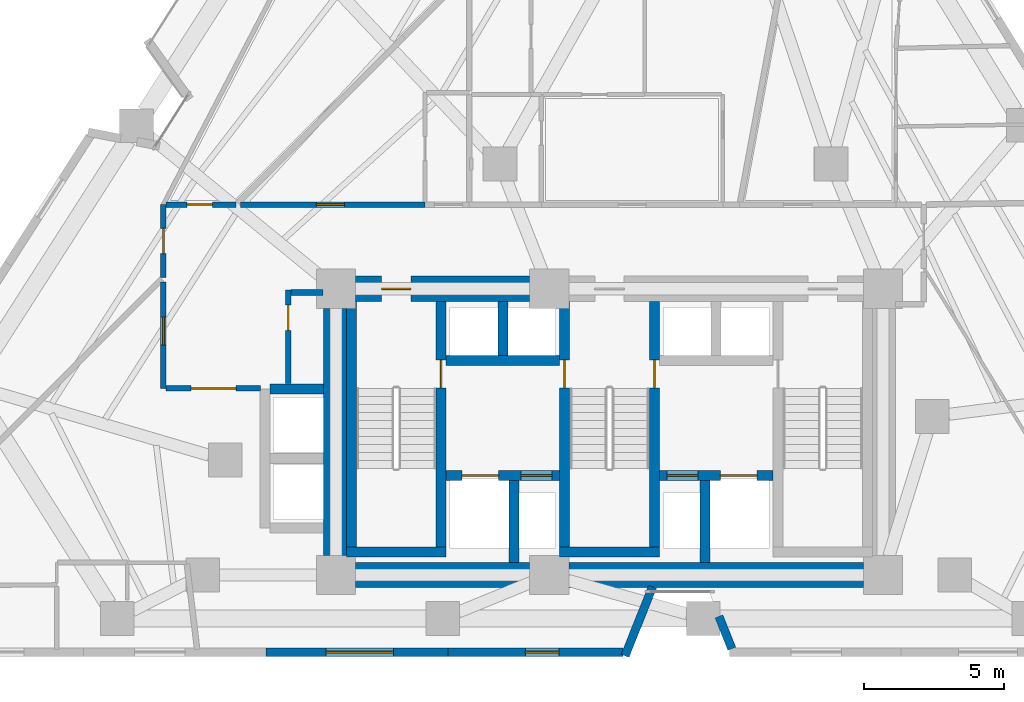
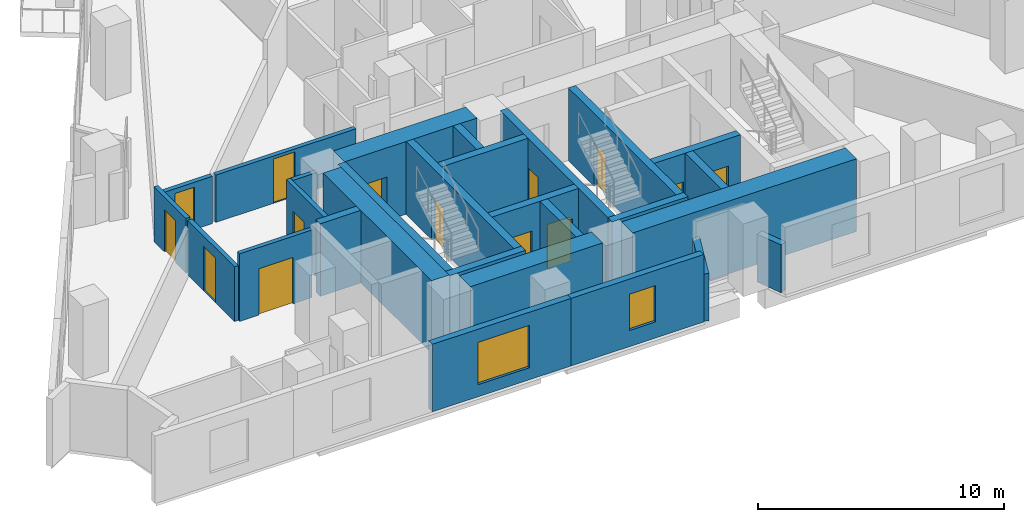
# One storey, part 6 of 13: 28 walls, 14 doors, 2 windows, 16 openings.
"""IFC4 building model written with IfcOpenShell, lengths in metres."""

from ifc_helpers import new_model, si_unit, direction, frame, frame_2d, origin, place, context, subcontext, project, spatial, rectangle, extrude, material, layer, layer_set, type_object, element, fill, save


model = new_model("IFC4")

# Units and contexts
model_context = context("Model", 3, precision=1e-05, world=origin(), true_north=direction((0.0, 1.0)))
body_context = subcontext(model_context, "Body", "Model", "MODEL_VIEW")
ifc_project = project(units=[si_unit("LENGTHUNIT", "METRE"), si_unit("AREAUNIT", "SQUARE_METRE"), si_unit("VOLUMEUNIT", "CUBIC_METRE"), si_unit("PLANEANGLEUNIT", "RADIAN"), si_unit("MASSUNIT", "GRAM", prefix="KILO")], contexts=[model_context])

# Site, building, storey
site_placement = place(None, origin())
site = spatial("IfcSite", under=ifc_project, at=site_placement, CompositionType="ELEMENT")
building_placement = place(site_placement, origin())
building = spatial("IfcBuilding", under=site, at=building_placement, Name="Almagre Mirador Tower", CompositionType="ELEMENT")
storey_placement = place(building_placement, frame((0.0, 0.0, 82.199951171875)))
storey = spatial("IfcBuildingStorey", under=building, at=storey_placement, Name="L20", CompositionType="ELEMENT", Elevation=82.199951171875)

# Walls
ifc_material_1 = material(Name="Precast concrete C50/60", Category="concrete")
ifc_layer_1 = layer(ifc_material_1, 0.300048828125)
ifc_layer_set_1 = layer_set([ifc_layer_1], Name="Precast concrete C50/60")
wall_type_1 = type_object("IfcWallType", Name="WAL-EXT-300", PredefinedType="SOLIDWALL", material=ifc_layer_set_1)
wall_1_placement = place(storey_placement, frame((41.658203125, 1.92529296875, 0.0), z_axis=(0.0, 0.0, 1.0), x_axis=(-0.369583004586, 0.929197719929, 0.0)))
element("IfcWall", 1, at=wall_1_placement, inside=storey, type_object=wall_type_1, Name="L20 expressed almagre precast frame wall 25", PredefinedType="SOLIDWALL", context=body_context, shape_type="SweptSolid", body=[
    extrude(rectangle(XDim=1.234619140625, YDim=0.300048828125, at=frame_2d((0.6171875, 0.0))), origin(), (0.0, 0.0, 1.0), 2.375),
])
wall_2_placement = place(storey_placement, frame((38.83251953125, 4.124755859375, 0.0), z_axis=(0.0, 0.0, 1.0), x_axis=(-0.369557636099, -0.929207809696, 0.0)))
element("IfcWall", 2, at=wall_2_placement, inside=storey, type_object=wall_type_1, Name="L20 expressed almagre precast frame wall 26", PredefinedType="SOLIDWALL", context=body_context, shape_type="SweptSolid", body=[
    extrude(rectangle(XDim=2.641845703125, YDim=0.300048828125, at=frame_2d((1.32080078125, 0.0))), origin(), (0.0, 0.0, 1.0), 2.35009765625),
])

# Wall, opening, window
wall_3_placement = place(storey_placement, frame((37.77294921875, 1.800048828125, 0.0), z_axis=(0.0, 0.0, 1.0), x_axis=(-1.0, 0.0, 0.0)))
wall_3 = element("IfcWall", 3, at=wall_3_placement, inside=storey, type_object=wall_type_1, Name="L20 expressed almagre precast frame wall 27", PredefinedType="SOLIDWALL", context=body_context, shape_type="SweptSolid", body=[
    extrude(rectangle(XDim=6.221923828125, YDim=0.300048828125, at=frame_2d((3.11083984375, 0.0))), origin(), (0.0, 0.0, 1.0), 3.35009765625),
])
opening_1_placement = place(wall_3_placement, frame((2.27490234375, 0.0, 0.800048828125)))
opening_1 = element("IfcOpeningElement", 4, at=opening_1_placement, cuts=wall_3, Name="Opening WN-04", PredefinedType="OPENING", context=body_context, shape_type="SweptSolid", body=[
    extrude(rectangle(XDim=1.199951171875, YDim=1.800048828125, at=frame_2d((0.60009765625, 0.89990234375))), frame((0.0, 0.159902, 0.0), z_axis=(0.0, -1.0, 0.0), x_axis=(1.0, 0.0, 0.0)), (0.0, 0.0, 1.0), 0.320049),
])
ifc_material_2 = material(Name="Dark solar-control laminated hurricane glass", Category="glass")
window_type_1 = type_object("IfcWindowType", Name="WIN-1200X1800", PartitioningType="SINGLE_PANEL", PredefinedType="WINDOW", material=ifc_material_2)
window_1_placement = place(opening_1_placement, origin())
window_1 = element("IfcWindow", 5, at=window_1_placement, inside=storey, type_object=window_type_1, Name="L20 recessed hurricane window L20-RST-B", OverallHeight=1.800048828125, OverallWidth=1.199951171875, PartitioningType="SINGLE_PANEL", PredefinedType="WINDOW", context=body_context, shape_type="SweptSolid", body=[
    extrude(rectangle(XDim=1.199951171875, YDim=1.800048828125, at=frame_2d((0.60009765625, 0.89990234375))), frame((0.0, 0.030029296875, 0.0), z_axis=(0.0, -1.0, 0.0), x_axis=(1.0, 0.0, 0.0)), (0.0, 0.0, 1.0), 0.06005859375),
])
fill(opening_1, window_1)

wall_4_placement = place(storey_placement, frame((31.551025390625, 1.800048828125, 0.0), z_axis=(0.0, 0.0, 1.0), x_axis=(-1.0, 0.0, 0.0)))
wall_4 = element("IfcWall", 6, at=wall_4_placement, inside=storey, type_object=wall_type_1, Name="L20 expressed almagre precast frame wall 28", PredefinedType="SOLIDWALL", context=body_context, shape_type="SweptSolid", body=[
    extrude(rectangle(XDim=6.4970703125, YDim=0.300048828125, at=frame_2d((3.24853515625, 0.0))), origin(), (0.0, 0.0, 1.0), 3.35009765625),
])
opening_2_placement = place(wall_4_placement, frame((1.949951171875, 0.0, 0.60009765625)))
opening_2 = element("IfcOpeningElement", 7, at=opening_2_placement, cuts=wall_4, Name="Opening WN-02", PredefinedType="OPENING", context=body_context, shape_type="SweptSolid", body=[
    extrude(rectangle(XDim=2.39990234375, YDim=2.10009765625, at=frame_2d((1.199951171875, 1.050048828125))), frame((0.0, 0.159902, 0.0), z_axis=(0.0, -1.0, 0.0), x_axis=(1.0, 0.0, 0.0)), (0.0, 0.0, 1.0), 0.320049),
])
ifc_material_3 = material(Name="Dark solar-control laminated hurricane glass", Category="glass")
window_type_2 = type_object("IfcWindowType", Name="WIN-2400X2100", PartitioningType="TRIPLE_PANEL_VERTICAL", PredefinedType="WINDOW", material=ifc_material_3)
window_2_placement = place(opening_2_placement, origin())
window_2 = element("IfcWindow", 8, at=window_2_placement, inside=storey, type_object=window_type_2, Name="L20 recessed hurricane window L20-RST-B", OverallHeight=2.10009765625, OverallWidth=2.39990234375, PartitioningType="SINGLE_PANEL", PredefinedType="WINDOW", context=body_context, shape_type="SweptSolid", body=[
    extrude(rectangle(XDim=2.39990234375, YDim=2.10009765625, at=frame_2d((1.199951171875, 1.050048828125))), frame((0.0, 0.030029296875, 0.0), z_axis=(0.0, -1.0, 0.0), x_axis=(1.0, 0.0, 0.0)), (0.0, 0.0, 1.0), 0.06005859375),
])
fill(opening_2, window_2)

# Wall, opening, door
ifc_material_4 = material(Name="Gypsum acoustic stud partition", Category="other")
ifc_layer_2 = layer(ifc_material_4, 0.199951171875)
ifc_layer_set_2 = layer_set([ifc_layer_2], Name="Gypsum acoustic stud partition")
wall_type_2 = type_object("IfcWallType", Name="WAL-PRT-200-EI60", PredefinedType="PARTITIONING", material=ifc_layer_set_2)
wall_5_placement = place(storey_placement, frame((25.85009765625, 11.3701171875, 0.0), z_axis=(0.0, 0.0, 1.0), x_axis=(0.0, 1.0, 0.0)))
wall_5 = element("IfcWall", 9, at=wall_5_placement, inside=storey, type_object=wall_type_2, Name="L20 core ancillary west wall", PredefinedType="PARTITIONING", context=body_context, shape_type="SweptSolid", body=[
    extrude(rectangle(XDim=3.33984375, YDim=0.199951171875, at=frame_2d((1.669921875, 0.0))), origin(), (0.0, 0.0, 1.0), 3.35009765625),
])
opening_3_placement = place(wall_5_placement, frame((1.89990234375, 0.0, 0.0)))
opening_3 = element("IfcOpeningElement", 10, at=opening_3_placement, cuts=wall_5, Name="Opening ID-03", PredefinedType="OPENING", context=body_context, shape_type="SweptSolid", body=[
    extrude(rectangle(XDim=0.89990234375, YDim=2.10009765625, at=frame_2d((0.449951171875, 1.050048828125))), frame((0.0, 0.110098, 0.0), z_axis=(0.0, -1.0, 0.0), x_axis=(1.0, 0.0, 0.0)), (0.0, 0.0, 1.0), 0.219951),
])
ifc_material_5 = material(Name="Fire-rated hollow steel", Category="steel")
door_type_1 = type_object("IfcDoorType", Name="DOR-FD60-900X2100", OperationType="NOTDEFINED", PredefinedType="DOOR", material=ifc_material_5)
door_1_placement = place(opening_3_placement, origin())
door_1 = element("IfcDoor", 11, at=door_1_placement, inside=storey, type_object=door_type_1, Name="DR-0675 L20 core ancillary corridor door", OperationType="SINGLE_SWING_RIGHT", OverallHeight=2.10009765625, OverallWidth=0.89990234375, PredefinedType="DOOR", context=body_context, shape_type="SweptSolid", body=[
    extrude(rectangle(XDim=0.89990234375, YDim=2.10009765625, at=frame_2d((0.449951171875, 1.050048828125))), frame((0.0, 0.02490234375, 0.0), z_axis=(0.0, -1.0, 0.0), x_axis=(1.0, 0.0, 0.0)), (0.0, 0.0, 1.0), 0.050048828125),
])
fill(opening_3, door_1)

# Wall
wall_6_placement = place(storey_placement, frame((25.955078125, 14.6201171875, 0.0), z_axis=(0.0, 0.0, 1.0), x_axis=(1.0, 0.0, 0.0)))
element("IfcWall", 12, at=wall_6_placement, inside=storey, type_object=wall_type_2, Name="L20 core ancillary north wall", PredefinedType="PARTITIONING", context=body_context, shape_type="SweptSolid", body=[
    extrude(rectangle(XDim=1.1298828125, YDim=0.199951171875, at=frame_2d((0.56494140625, 0.0))), origin(), (0.0, 0.0, 1.0), 3.35009765625),
])

# Wall, opening, door
wall_7_placement = place(storey_placement, frame((21.39990234375, 15.0, 0.0), z_axis=(0.0, 0.0, 1.0), x_axis=(0.0, -1.0, 0.0)))
wall_7 = element("IfcWall", 13, at=wall_7_placement, inside=storey, type_object=wall_type_2, Name="L20 interior partition 001", PredefinedType="PARTITIONING", context=body_context, shape_type="SweptSolid", body=[
    extrude(rectangle(XDim=3.800048828125, YDim=0.199951171875, at=frame_2d((1.89990234375, 0.0))), origin(), (0.0, 0.0, 1.0), 2.708984375),
])
opening_4_placement = place(wall_7_placement, frame((1.26171875, 0.0, 0.0)))
opening_4 = element("IfcOpeningElement", 14, at=opening_4_placement, cuts=wall_7, Name="Opening ID-01", PredefinedType="OPENING", context=body_context, shape_type="SweptSolid", body=[
    extrude(rectangle(XDim=1.0, YDim=2.199951171875, at=frame_2d((0.5, 1.10009765625))), frame((0.0, 0.110098, 0.0), z_axis=(0.0, -1.0, 0.0), x_axis=(1.0, 0.0, 0.0)), (0.0, 0.0, 1.0), 0.219951),
])
ifc_material_6 = material(Name="Fire-rated walnut timber", Category="wood")
door_type_2 = type_object("IfcDoorType", Name="DOR-FD60-1000X2200", OperationType="NOTDEFINED", PredefinedType="DOOR", material=ifc_material_6)
door_2_placement = place(opening_4_placement, origin())
door_2 = element("IfcDoor", 15, at=door_2_placement, inside=storey, type_object=door_type_2, Name="DR-0684 L20 interior door L20-RCOR to L20-UA-ST", OperationType="SINGLE_SWING_RIGHT", OverallHeight=2.199951171875, OverallWidth=1.0, PredefinedType="DOOR", context=body_context, shape_type="SweptSolid", body=[
    extrude(rectangle(XDim=1.0, YDim=2.199951171875, at=frame_2d((0.5, 1.10009765625))), frame((0.0, 0.02490234375, 0.0), z_axis=(0.0, -1.0, 0.0), x_axis=(1.0, 0.0, 0.0)), (0.0, 0.0, 1.0), 0.050048828125),
])
fill(opening_4, door_2)

wall_8_placement = place(storey_placement, frame((21.485107421875, 11.199951171875, 0.0), z_axis=(0.0, 0.0, 1.0), x_axis=(1.0, 0.0, 0.0)))
wall_8 = element("IfcWall", 16, at=wall_8_placement, inside=storey, type_object=wall_type_2, Name="L20 interior partition 002", PredefinedType="PARTITIONING", context=body_context, shape_type="SweptSolid", body=[
    extrude(rectangle(XDim=3.384033203125, YDim=0.199951171875, at=frame_2d((1.69189453125, 0.0))), origin(), (0.0, 0.0, 1.0), 3.35009765625),
])
opening_5_placement = place(wall_8_placement, frame((0.905029296875, 0.0, 0.0)))
opening_5 = element("IfcOpeningElement", 17, at=opening_5_placement, cuts=wall_8, Name="Opening ID-05", PredefinedType="OPENING", context=body_context, shape_type="SweptSolid", body=[
    extrude(rectangle(XDim=1.60009765625, YDim=2.300048828125, at=frame_2d((0.800048828125, 1.14990234375))), frame((0.0, 0.110098, 0.0), z_axis=(0.0, -1.0, 0.0), x_axis=(1.0, 0.0, 0.0)), (0.0, 0.0, 1.0), 0.219951),
])
ifc_material_7 = material(Name="Fire-rated acoustic timber", Category="wood")
door_type_3 = type_object("IfcDoorType", Name="DOR-FD60-1600X2300", OperationType="DOUBLE_DOOR_SINGLE_SWING", PredefinedType="DOOR", material=ifc_material_7)
door_3_placement = place(opening_5_placement, origin())
door_3 = element("IfcDoor", 18, at=door_3_placement, inside=storey, type_object=door_type_3, Name="DR-0680 L20 interior door L20-RCOR to L20-RST-B", OperationType="DOUBLE_DOOR_SINGLE_SWING", OverallHeight=2.300048828125, OverallWidth=1.60009765625, PredefinedType="DOOR", context=body_context, shape_type="SweptSolid", body=[
    extrude(rectangle(XDim=1.60009765625, YDim=2.300048828125, at=frame_2d((0.800048828125, 1.14990234375))), frame((0.0, 0.02490234375, 0.0), z_axis=(0.0, -1.0, 0.0), x_axis=(1.0, 0.0, 0.0)), (0.0, 0.0, 1.0), 0.050048828125),
])
fill(opening_5, door_3)

wall_9_placement = place(storey_placement, frame((21.39990234375, 17.75, 0.0), z_axis=(0.0, 0.0, 1.0), x_axis=(0.0, -1.0, 0.0)))
wall_9 = element("IfcWall", 19, at=wall_9_placement, inside=storey, type_object=wall_type_2, Name="L20 interior partition 006", PredefinedType="PARTITIONING", context=body_context, shape_type="SweptSolid", body=[
    extrude(rectangle(XDim=2.590087890625, YDim=0.199951171875, at=frame_2d((1.294921875, 0.0))), origin(), (0.0, 0.0, 1.0), 2.708984375),
])
opening_6_placement = place(wall_9_placement, frame((0.844970703125, 0.0, 0.0)))
opening_6 = element("IfcOpeningElement", 20, at=opening_6_placement, cuts=wall_9, Name="Opening ID-03", PredefinedType="OPENING", context=body_context, shape_type="SweptSolid", body=[
    extrude(rectangle(XDim=0.89990234375, YDim=2.10009765625, at=frame_2d((0.449951171875, 1.050048828125))), frame((0.0, 0.110098, 0.0), z_axis=(0.0, -1.0, 0.0), x_axis=(1.0, 0.0, 0.0)), (0.0, 0.0, 1.0), 0.219951),
])
door_4_placement = place(opening_6_placement, origin())
door_4 = element("IfcDoor", 21, at=door_4_placement, inside=storey, type_object=door_type_1, Name="DR-0682 L20 interior door L20-RCOR to L20-RST-E", OperationType="SINGLE_SWING_RIGHT", OverallHeight=2.10009765625, OverallWidth=0.89990234375, PredefinedType="DOOR", context=body_context, shape_type="SweptSolid", body=[
    extrude(rectangle(XDim=0.89990234375, YDim=2.10009765625, at=frame_2d((0.449951171875, 1.050048828125))), frame((0.0, 0.02490234375, 0.0), z_axis=(0.0, -1.0, 0.0), x_axis=(1.0, 0.0, 0.0)), (0.0, 0.0, 1.0), 0.050048828125),
])
fill(opening_6, door_4)

wall_10_placement = place(storey_placement, frame((30.719970703125, 17.75, 0.0), z_axis=(0.0, 0.0, 1.0), x_axis=(-1.0, 0.0, 0.0)))
wall_10 = element("IfcWall", 22, at=wall_10_placement, inside=storey, type_object=wall_type_2, Name="L20 interior partition 007", PredefinedType="PARTITIONING", context=body_context, shape_type="SweptSolid", body=[
    extrude(rectangle(XDim=6.570068359375, YDim=0.199951171875, at=frame_2d((3.28515625, 0.0))), origin(), (0.0, 0.0, 1.0), 2.344970703125),
])
opening_7_placement = place(wall_10_placement, frame((2.864990234375, 0.0, 0.0)))
opening_7 = element("IfcOpeningElement", 23, at=opening_7_placement, cuts=wall_10, Name="Opening ID-01", PredefinedType="OPENING", context=body_context, shape_type="SweptSolid", body=[
    extrude(rectangle(XDim=1.0, YDim=2.199951171875, at=frame_2d((0.5, 1.10009765625))), frame((0.0, 0.110098, 0.0), z_axis=(0.0, -1.0, 0.0), x_axis=(1.0, 0.0, 0.0)), (0.0, 0.0, 1.0), 0.219951),
])
door_5_placement = place(opening_7_placement, origin())
door_5 = element("IfcDoor", 24, at=door_5_placement, inside=storey, type_object=door_type_2, Name="DR-0685 L20 interior door L20-RCOR to L20-UF-ST", OperationType="SINGLE_SWING_RIGHT", OverallHeight=2.199951171875, OverallWidth=1.0, PredefinedType="DOOR", context=body_context, shape_type="SweptSolid", body=[
    extrude(rectangle(XDim=1.0, YDim=2.199951171875, at=frame_2d((0.5, 1.10009765625))), frame((0.0, 0.02490234375, 0.0), z_axis=(0.0, -1.0, 0.0), x_axis=(1.0, 0.0, 0.0)), (0.0, 0.0, 1.0), 0.050048828125),
])
fill(opening_7, door_5)

wall_11_placement = place(storey_placement, frame((23.989990234375, 17.75, 0.0), z_axis=(0.0, 0.0, 1.0), x_axis=(-1.0, 0.0, 0.0)))
wall_11 = element("IfcWall", 25, at=wall_11_placement, inside=storey, type_object=wall_type_2, Name="L20 interior partition 009", PredefinedType="PARTITIONING", context=body_context, shape_type="SweptSolid", body=[
    extrude(rectangle(XDim=2.5048828125, YDim=0.199951171875, at=frame_2d((1.25244140625, 0.0))), origin(), (0.0, 0.0, 1.0), 2.344970703125),
])
opening_8_placement = place(wall_11_placement, frame((0.844970703125, 0.0, 0.0)))
opening_8 = element("IfcOpeningElement", 26, at=opening_8_placement, cuts=wall_11, Name="Opening ID-03", PredefinedType="OPENING", context=body_context, shape_type="SweptSolid", body=[
    extrude(rectangle(XDim=0.89990234375, YDim=2.10009765625, at=frame_2d((0.449951171875, 1.050048828125))), frame((0.0, 0.110098, 0.0), z_axis=(0.0, -1.0, 0.0), x_axis=(1.0, 0.0, 0.0)), (0.0, 0.0, 1.0), 0.219951),
])
door_6_placement = place(opening_8_placement, origin())
door_6 = element("IfcDoor", 27, at=door_6_placement, inside=storey, type_object=door_type_1, Name="DR-0683 L20 interior door L20-RCOR to L20-RST-G", OperationType="SINGLE_SWING_LEFT", OverallHeight=2.10009765625, OverallWidth=0.89990234375, PredefinedType="DOOR", context=body_context, shape_type="SweptSolid", body=[
    extrude(rectangle(XDim=0.89990234375, YDim=2.10009765625, at=frame_2d((0.449951171875, 1.050048828125))), frame((0.0, 0.02490234375, 0.0), z_axis=(0.0, -1.0, 0.0), x_axis=(1.0, 0.0, 0.0)), (0.0, 0.0, 1.0), 0.050048828125),
])
fill(opening_8, door_6)

# Wall
ifc_material_8 = material(Name="Concrete C60/75", Category="concrete")
ifc_layer_3 = layer(ifc_material_8, 0.35009765625)
ifc_layer_set_3 = layer_set([ifc_layer_3], Name="Concrete C60/75")
wall_type_3 = type_object("IfcWallType", Name="WAL-SHF-350", PredefinedType="SOLIDWALL", material=ifc_layer_set_3)
wall_12_placement = place(storey_placement, frame((28.10009765625, 5.199951171875, 0.0), z_axis=(0.0, 0.0, 1.0), x_axis=(0.0, 1.0, 0.0)))
element("IfcWall", 28, at=wall_12_placement, inside=storey, type_object=wall_type_3, Name="L20 shaft wall ST1-W", PredefinedType="SOLIDWALL", context=body_context, shape_type="SweptSolid", body=[
    extrude(rectangle(XDim=9.10009765625, YDim=0.35009765625, at=frame_2d((4.550048828125, 0.0))), origin(), (0.0, 0.0, 1.0), 3.60009765625),
])

# Wall, opening, door
wall_13_placement = place(storey_placement, frame((31.300048828125, 5.199951171875, 0.0), z_axis=(0.0, 0.0, 1.0), x_axis=(0.0, 1.0, 0.0)))
wall_13 = element("IfcWall", 29, at=wall_13_placement, inside=storey, type_object=wall_type_3, Name="L20 shaft wall ST1-E", PredefinedType="SOLIDWALL", context=body_context, shape_type="SweptSolid", body=[
    extrude(rectangle(XDim=9.10009765625, YDim=0.35009765625, at=frame_2d((4.550048828125, 0.0))), origin(), (0.0, 0.0, 1.0), 3.60009765625),
])
opening_9_placement = place(wall_13_placement, frame((6.02001953125, 0.0, 0.0)))
opening_9 = element("IfcOpeningElement", 30, at=opening_9_placement, cuts=wall_13, Name="Opening FD-01", PredefinedType="OPENING", context=body_context, shape_type="SweptSolid", body=[
    extrude(rectangle(XDim=1.0, YDim=2.14990234375, at=frame_2d((0.5, 1.074951171875))), frame((0.0, 0.185049, 0.0), z_axis=(0.0, -1.0, 0.0), x_axis=(1.0, 0.0, 0.0)), (0.0, 0.0, 1.0), 0.370098),
])
ifc_material_9 = material(Name="Fire-rated hollow steel", Category="steel")
door_type_4 = type_object("IfcDoorType", Name="DOR-FFL-1000X2150", OperationType="NOTDEFINED", PredefinedType="DOOR", material=ifc_material_9)
door_7_placement = place(opening_9_placement, origin())
door_7 = element("IfcDoor", 31, at=door_7_placement, inside=storey, type_object=door_type_4, Name="DR-0676 L20 FFL1-ST1 smokeproof door", OperationType="SINGLE_SWING_RIGHT", OverallHeight=2.14990234375, OverallWidth=1.0, PredefinedType="DOOR", context=body_context, shape_type="SweptSolid", body=[
    extrude(rectangle(XDim=1.0, YDim=2.14990234375, at=frame_2d((0.5, 1.074951171875))), frame((0.0, 0.02490234375, 0.0), z_axis=(0.0, -1.0, 0.0), x_axis=(1.0, 0.0, 0.0)), (0.0, 0.0, 1.0), 0.050048828125),
])
fill(opening_9, door_7)

# Wall
wall_14_placement = place(storey_placement, frame((27.925048828125, 5.375, 0.0), z_axis=(0.0, 0.0, 1.0), x_axis=(1.0, 0.0, 0.0)))
element("IfcWall", 32, at=wall_14_placement, inside=storey, type_object=wall_type_3, Name="L20 shaft wall ST1-S", PredefinedType="SOLIDWALL", context=body_context, shape_type="SweptSolid", body=[
    extrude(rectangle(XDim=3.550048828125, YDim=0.35009765625, at=frame_2d((1.77490234375, 0.0))), origin(), (0.0, 0.0, 1.0), 3.60009765625),
])

# Wall, opening, door
wall_15_placement = place(storey_placement, frame((35.699951171875, 5.199951171875, 0.0), z_axis=(0.0, 0.0, 1.0), x_axis=(0.0, 1.0, 0.0)))
wall_15 = element("IfcWall", 33, at=wall_15_placement, inside=storey, type_object=wall_type_3, Name="L20 shaft wall ST2-W", PredefinedType="SOLIDWALL", context=body_context, shape_type="SweptSolid", body=[
    extrude(rectangle(XDim=9.10009765625, YDim=0.35009765625, at=frame_2d((4.550048828125, 0.0))), origin(), (0.0, 0.0, 1.0), 3.60009765625),
])
opening_10_placement = place(wall_15_placement, frame((6.02001953125, 0.0, 0.0)))
opening_10 = element("IfcOpeningElement", 34, at=opening_10_placement, cuts=wall_15, Name="Opening FD-01", PredefinedType="OPENING", context=body_context, shape_type="SweptSolid", body=[
    extrude(rectangle(XDim=1.0, YDim=2.14990234375, at=frame_2d((0.5, 1.074951171875))), frame((0.0, 0.185049, 0.0), z_axis=(0.0, -1.0, 0.0), x_axis=(1.0, 0.0, 0.0)), (0.0, 0.0, 1.0), 0.370098),
])
door_8_placement = place(opening_10_placement, origin())
door_8 = element("IfcDoor", 35, at=door_8_placement, inside=storey, type_object=door_type_4, Name="DR-0677 L20 FFL1-ST2 smokeproof door", OperationType="SINGLE_SWING_LEFT", OverallHeight=2.14990234375, OverallWidth=1.0, PredefinedType="DOOR", context=body_context, shape_type="SweptSolid", body=[
    extrude(rectangle(XDim=1.0, YDim=2.14990234375, at=frame_2d((0.5, 1.074951171875))), frame((0.0, 0.02490234375, 0.0), z_axis=(0.0, -1.0, 0.0), x_axis=(1.0, 0.0, 0.0)), (0.0, 0.0, 1.0), 0.050048828125),
])
fill(opening_10, door_8)

wall_16_placement = place(storey_placement, frame((38.89990234375, 5.199951171875, 0.0), z_axis=(0.0, 0.0, 1.0), x_axis=(0.0, 1.0, 0.0)))
wall_16 = element("IfcWall", 36, at=wall_16_placement, inside=storey, type_object=wall_type_3, Name="L20 shaft wall ST2-E", PredefinedType="SOLIDWALL", context=body_context, shape_type="SweptSolid", body=[
    extrude(rectangle(XDim=9.10009765625, YDim=0.35009765625, at=frame_2d((4.550048828125, 0.0))), origin(), (0.0, 0.0, 1.0), 3.60009765625),
])
opening_11_placement = place(wall_16_placement, frame((6.02001953125, 0.0, 0.0)))
opening_11 = element("IfcOpeningElement", 37, at=opening_11_placement, cuts=wall_16, Name="Opening FD-01", PredefinedType="OPENING", context=body_context, shape_type="SweptSolid", body=[
    extrude(rectangle(XDim=1.0, YDim=2.14990234375, at=frame_2d((0.5, 1.074951171875))), frame((0.0, 0.185049, 0.0), z_axis=(0.0, -1.0, 0.0), x_axis=(1.0, 0.0, 0.0)), (0.0, 0.0, 1.0), 0.370098),
])
door_9_placement = place(opening_11_placement, origin())
door_9 = element("IfcDoor", 38, at=door_9_placement, inside=storey, type_object=door_type_4, Name="DR-0678 L20 FFL2-ST2 smokeproof door", OperationType="SINGLE_SWING_RIGHT", OverallHeight=2.14990234375, OverallWidth=1.0, PredefinedType="DOOR", context=body_context, shape_type="SweptSolid", body=[
    extrude(rectangle(XDim=1.0, YDim=2.14990234375, at=frame_2d((0.5, 1.074951171875))), frame((0.0, 0.02490234375, 0.0), z_axis=(0.0, -1.0, 0.0), x_axis=(1.0, 0.0, 0.0)), (0.0, 0.0, 1.0), 0.050048828125),
])
fill(opening_11, door_9)

# Wall
wall_17_placement = place(storey_placement, frame((35.52490234375, 5.375, 0.0), z_axis=(0.0, 0.0, 1.0), x_axis=(1.0, 0.0, 0.0)))
element("IfcWall", 39, at=wall_17_placement, inside=storey, type_object=wall_type_3, Name="L20 shaft wall ST2-S", PredefinedType="SOLIDWALL", context=body_context, shape_type="SweptSolid", body=[
    extrude(rectangle(XDim=3.550048828125, YDim=0.35009765625, at=frame_2d((1.77490234375, 0.0))), origin(), (0.0, 0.0, 1.0), 3.60009765625),
])

# Wall, openings, doors
wall_18_placement = place(storey_placement, frame((31.47509765625, 8.10009765625, 0.0), z_axis=(0.0, 0.0, 1.0), x_axis=(1.0, 0.0, 0.0)))
wall_18 = element("IfcWall", 40, at=wall_18_placement, inside=storey, type_object=wall_type_3, Name="L20 shaft wall FSAE1-N", PredefinedType="SOLIDWALL", context=body_context, shape_type="SweptSolid", body=[
    extrude(rectangle(XDim=4.0498046875, YDim=0.35009765625, at=frame_2d((2.02490234375, 0.0))), origin(), (0.0, 0.0, 1.0), 3.60009765625),
])
opening_12_placement = place(wall_18_placement, frame((0.574951171875, 0.0, 0.0)))
opening_12 = element("IfcOpeningElement", 41, at=opening_12_placement, cuts=wall_18, Name="Opening LD-03", PredefinedType="OPENING", context=body_context, shape_type="SweptSolid", body=[
    extrude(rectangle(XDim=1.300048828125, YDim=2.25, at=frame_2d((0.64990234375, 1.125))), frame((0.0, 0.185049, 0.0), z_axis=(0.0, -1.0, 0.0), x_axis=(1.0, 0.0, 0.0)), (0.0, 0.0, 1.0), 0.370098),
])
opening_13_placement = place(wall_18_placement, frame((2.675048828125, 0.0, 0.0)))
opening_13 = element("IfcOpeningElement", 42, at=opening_13_placement, cuts=wall_18, Name="Opening LD-01", PredefinedType="OPENING", context=body_context, shape_type="SweptSolid", body=[
    extrude(rectangle(XDim=1.10009765625, YDim=2.199951171875, at=frame_2d((0.550048828125, 1.10009765625))), frame((0.0, 0.185049, 0.0), z_axis=(0.0, -1.0, 0.0), x_axis=(1.0, 0.0, 0.0)), (0.0, 0.0, 1.0), 0.370098),
])
ifc_material_10 = material(Name="Hollow stainless steel", Category="steel")
door_type_5 = type_object("IfcDoorType", Name="DOR-LD-1100X2200", OperationType="DOUBLE_DOOR_SLIDING", PredefinedType="DOOR", material=ifc_material_10)
door_10_placement = place(opening_13_placement, origin())
door_10 = element("IfcDoor", 43, at=door_10_placement, inside=storey, type_object=door_type_5, Name="DR-0707 L20 PL-L1 lift landing door", OperationType="DOUBLE_DOOR_SLIDING", OverallHeight=2.199951171875, OverallWidth=1.10009765625, PredefinedType="DOOR", context=body_context, shape_type="SweptSolid", body=[
    extrude(rectangle(XDim=1.10009765625, YDim=2.199951171875, at=frame_2d((0.550048828125, 1.10009765625))), frame((0.0, 0.02490234375, 0.0), z_axis=(0.0, -1.0, 0.0), x_axis=(1.0, 0.0, 0.0)), (0.0, 0.0, 1.0), 0.050048828125),
])
fill(opening_13, door_10)
ifc_material_11 = material(Name="Hollow stainless steel", Category="steel")
door_type_6 = type_object("IfcDoorType", Name="DOR-LD-1300X2250", OperationType="DOUBLE_DOOR_SLIDING", PredefinedType="DOOR", material=ifc_material_11)
door_11_placement = place(opening_12_placement, origin())
door_11 = element("IfcDoor", 44, at=door_11_placement, inside=storey, type_object=door_type_6, Name="DR-0705 L20 FSAE-1 lift landing door", OperationType="DOUBLE_DOOR_SLIDING", OverallHeight=2.25, OverallWidth=1.300048828125, PredefinedType="DOOR", context=body_context, shape_type="SweptSolid", body=[
    extrude(rectangle(XDim=1.300048828125, YDim=2.25, at=frame_2d((0.64990234375, 1.125))), frame((0.0, 0.02490234375, 0.0), z_axis=(0.0, -1.0, 0.0), x_axis=(1.0, 0.0, 0.0)), (0.0, 0.0, 1.0), 0.050048828125),
])
fill(opening_12, door_11)

wall_19_placement = place(storey_placement, frame((39.074951171875, 8.10009765625, 0.0), z_axis=(0.0, 0.0, 1.0), x_axis=(1.0, 0.0, 0.0)))
wall_19 = element("IfcWall", 45, at=wall_19_placement, inside=storey, type_object=wall_type_3, Name="L20 shaft wall FSAE2-N", PredefinedType="SOLIDWALL", context=body_context, shape_type="SweptSolid", body=[
    extrude(rectangle(XDim=4.050048828125, YDim=0.35009765625, at=frame_2d((2.02490234375, 0.0))), origin(), (0.0, 0.0, 1.0), 3.60009765625),
])
opening_14_placement = place(wall_19_placement, frame((2.175048828125, 0.0, 0.0)))
opening_14 = element("IfcOpeningElement", 46, at=opening_14_placement, cuts=wall_19, Name="Opening LD-03", PredefinedType="OPENING", context=body_context, shape_type="SweptSolid", body=[
    extrude(rectangle(XDim=1.300048828125, YDim=2.25, at=frame_2d((0.64990234375, 1.125))), frame((0.0, 0.185049, 0.0), z_axis=(0.0, -1.0, 0.0), x_axis=(1.0, 0.0, 0.0)), (0.0, 0.0, 1.0), 0.370098),
])
opening_15_placement = place(wall_19_placement, frame((0.27490234375, 0.0, 0.0)))
opening_15 = element("IfcOpeningElement", 47, at=opening_15_placement, cuts=wall_19, Name="Opening LD-01", PredefinedType="OPENING", context=body_context, shape_type="SweptSolid", body=[
    extrude(rectangle(XDim=1.10009765625, YDim=2.199951171875, at=frame_2d((0.550048828125, 1.10009765625))), frame((0.0, 0.185049, 0.0), z_axis=(0.0, -1.0, 0.0), x_axis=(1.0, 0.0, 0.0)), (0.0, 0.0, 1.0), 0.370098),
])
door_12_placement = place(opening_15_placement, origin())
door_12 = element("IfcDoor", 48, at=door_12_placement, inside=storey, type_object=door_type_5, Name="DR-0708 L20 PL-L2 lift landing door", OperationType="DOUBLE_DOOR_SLIDING", OverallHeight=2.199951171875, OverallWidth=1.10009765625, PredefinedType="DOOR", context=body_context, shape_type="SweptSolid", body=[
    extrude(rectangle(XDim=1.10009765625, YDim=2.199951171875, at=frame_2d((0.550048828125, 1.10009765625))), frame((0.0, 0.02490234375, 0.0), z_axis=(0.0, -1.0, 0.0), x_axis=(1.0, 0.0, 0.0)), (0.0, 0.0, 1.0), 0.050048828125),
])
fill(opening_15, door_12)
door_13_placement = place(opening_14_placement, origin())
door_13 = element("IfcDoor", 49, at=door_13_placement, inside=storey, type_object=door_type_6, Name="DR-0706 L20 FSAE-2 lift landing door", OperationType="DOUBLE_DOOR_SLIDING", OverallHeight=2.25, OverallWidth=1.300048828125, PredefinedType="DOOR", context=body_context, shape_type="SweptSolid", body=[
    extrude(rectangle(XDim=1.300048828125, YDim=2.25, at=frame_2d((0.64990234375, 1.125))), frame((0.0, 0.02490234375, 0.0), z_axis=(0.0, -1.0, 0.0), x_axis=(1.0, 0.0, 0.0)), (0.0, 0.0, 1.0), 0.050048828125),
])
fill(opening_14, door_13)

# Walls
for number, where, z_axis, x_axis, name in (
    (50, (33.89990234375, 5.0, 0.0), (0.0, 0.0, 1.0), (0.0, 1.0, 0.0), "L20 shaft wall FSAE1-E"),
    (51, (40.699951171875, 5.0, 0.0), (0.0, 0.0, 1.0), (0.0, 1.0, 0.0), "L20 shaft wall FSAE2-W"),
):
    element("IfcWall", number, at=place(storey_placement, frame(where, z_axis=z_axis, x_axis=x_axis)), inside=storey, type_object=wall_type_3, Name=name, PredefinedType="SOLIDWALL", context=body_context, shape_type="SweptSolid", body=[
        extrude(rectangle(XDim=2.925048828125, YDim=0.35009765625, at=frame_2d((1.46240234375, 0.0))), origin(), (0.0, 0.0, 1.0), 3.60009765625),
    ])
wall_20_placement = place(storey_placement, frame((31.47509765625, 12.199951171875, 0.0), z_axis=(0.0, 0.0, 1.0), x_axis=(1.0, 0.0, 0.0)))
element("IfcWall", 52, at=wall_20_placement, inside=storey, type_object=wall_type_3, Name="L20 shaft wall PLM-S", PredefinedType="SOLIDWALL", context=body_context, shape_type="SweptSolid", body=[
    extrude(rectangle(XDim=4.0498046875, YDim=0.35009765625, at=frame_2d((2.02490234375, 0.0))), origin(), (0.0, 0.0, 1.0), 3.60009765625),
])
wall_21_placement = place(storey_placement, frame((33.5, 12.375, 0.0), z_axis=(0.0, 0.0, 1.0), x_axis=(0.0, 1.0, 0.0)))
element("IfcWall", 53, at=wall_21_placement, inside=storey, type_object=wall_type_3, Name="L20 shaft wall PLM-M", PredefinedType="SOLIDWALL", context=body_context, shape_type="SweptSolid", body=[
    extrude(rectangle(XDim=1.925048828125, YDim=0.35009765625, at=frame_2d((0.96240234375, 0.0))), origin(), (0.0, 0.0, 1.0), 3.60009765625),
])
wall_22_placement = place(storey_placement, frame((25.199951171875, 11.175048828125, 0.0), z_axis=(0.0, 0.0, 1.0), x_axis=(1.0, 0.0, 0.0)))
element("IfcWall", 54, at=wall_22_placement, inside=storey, type_object=wall_type_3, Name="L20 shaft wall OL-N", PredefinedType="SOLIDWALL", context=body_context, shape_type="SweptSolid", body=[
    extrude(rectangle(XDim=1.900146484375, YDim=0.35009765625, at=frame_2d((0.9501953125, 0.0))), origin(), (0.0, 0.0, 1.0), 3.60009765625),
])
ifc_material_12 = material(Name="Concrete C70/85", Category="concrete")
ifc_layer_4 = layer(ifc_material_12, 0.89990234375)
ifc_layer_set_4 = layer_set([ifc_layer_4], Name="Concrete C70/85")
wall_type_4 = type_object("IfcWallType", Name="WAL-SHR-900", PredefinedType="SHEAR", material=ifc_layer_set_4)
wall_23_placement = place(storey_placement, frame((28.25, 4.550048828125, 0.0), z_axis=(0.0, 0.0, 1.0), x_axis=(1.0, 0.0, 0.0)))
element("IfcWall", 55, at=wall_23_placement, inside=storey, type_object=wall_type_4, Name="L20 core shear wall S1", PredefinedType="SHEAR", context=body_context, shape_type="SweptSolid", body=[
    extrude(rectangle(XDim=6.199951171875, YDim=0.89990234375, at=frame_2d((3.10009765625, 0.0))), origin(), (0.0, 0.0, 1.0), 3.60009765625),
])
wall_24_placement = place(storey_placement, frame((35.85009765625, 4.550048828125, 0.0), z_axis=(0.0, 0.0, 1.0), x_axis=(1.0, 0.0, 0.0)))
element("IfcWall", 56, at=wall_24_placement, inside=storey, type_object=wall_type_4, Name="L20 core shear wall S2", PredefinedType="SHEAR", context=body_context, shape_type="SweptSolid", body=[
    extrude(rectangle(XDim=10.5, YDim=0.89990234375, at=frame_2d((5.25, 0.0))), origin(), (0.0, 0.0, 1.0), 3.60009765625),
])

# Wall, opening, door
wall_25_placement = place(storey_placement, frame((28.25, 14.75, 0.0), z_axis=(0.0, 0.0, 1.0), x_axis=(1.0, 0.0, 0.0)))
wall_25 = element("IfcWall", 57, at=wall_25_placement, inside=storey, type_object=wall_type_4, Name="L20 core shear wall N1", PredefinedType="SHEAR", context=body_context, shape_type="SweptSolid", body=[
    extrude(rectangle(XDim=6.199951171875, YDim=0.89990234375, at=frame_2d((3.10009765625, 0.0))), origin(), (0.0, 0.0, 1.0), 3.60009765625),
])
opening_16_placement = place(wall_25_placement, frame((0.925048828125, 0.0, 0.0)))
opening_16 = element("IfcOpeningElement", 58, at=opening_16_placement, cuts=wall_25, Name="Opening SD-01", PredefinedType="OPENING", context=body_context, shape_type="SweptSolid", body=[
    extrude(rectangle(XDim=1.050048828125, YDim=2.14990234375, at=frame_2d((0.52490234375, 1.074951171875))), frame((0.0, 0.459951, 0.0), z_axis=(0.0, -1.0, 0.0), x_axis=(1.0, 0.0, 0.0)), (0.0, 0.0, 1.0), 0.919902),
])
ifc_material_13 = material(Name="Fire-rated hollow steel", Category="steel")
door_type_7 = type_object("IfcDoorType", Name="DOR-ST-1050X2150", OperationType="NOTDEFINED", PredefinedType="DOOR", material=ifc_material_13)
door_14_placement = place(opening_16_placement, origin())
door_14 = element("IfcDoor", 59, at=door_14_placement, inside=storey, type_object=door_type_7, Name="DR-0709 L20 protected exit stair ST-1 door", OperationType="SINGLE_SWING_RIGHT", OverallHeight=2.14990234375, OverallWidth=1.050048828125, PredefinedType="DOOR", context=body_context, shape_type="SweptSolid", body=[
    extrude(rectangle(XDim=1.050048828125, YDim=2.14990234375, at=frame_2d((0.52490234375, 1.074951171875))), frame((0.0, 0.02490234375, 0.0), z_axis=(0.0, -1.0, 0.0), x_axis=(1.0, 0.0, 0.0)), (0.0, 0.0, 1.0), 0.050048828125),
])
fill(opening_16, door_14)

# Wall
wall_26_placement = place(storey_placement, frame((27.550048828125, 5.25, 0.0), z_axis=(0.0, 0.0, 1.0), x_axis=(0.0, 1.0, 0.0)))
element("IfcWall", 60, at=wall_26_placement, inside=storey, type_object=wall_type_4, Name="L20 core shear wall W1", PredefinedType="SHEAR", context=body_context, shape_type="SweptSolid", body=[
    extrude(rectangle(XDim=8.800048828125, YDim=0.89990234375, at=frame_2d((4.39990234375, 0.0))), origin(), (0.0, 0.0, 1.0), 3.60009765625),
])

save(model, "model.ifc")
